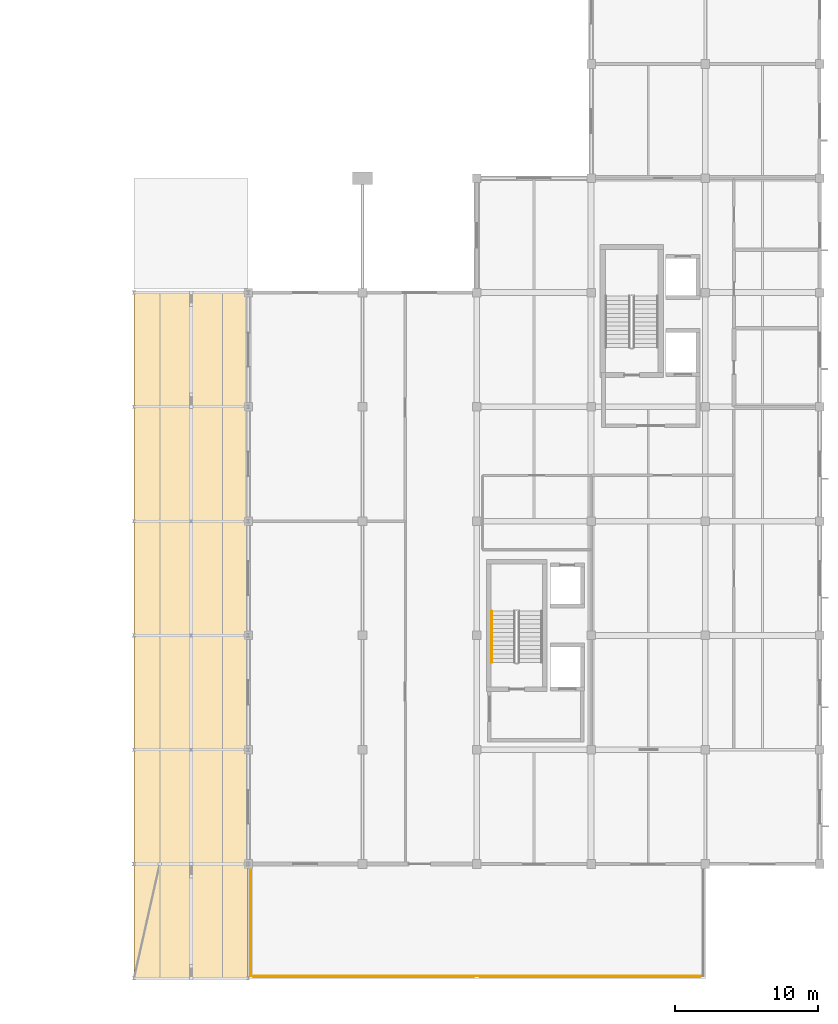
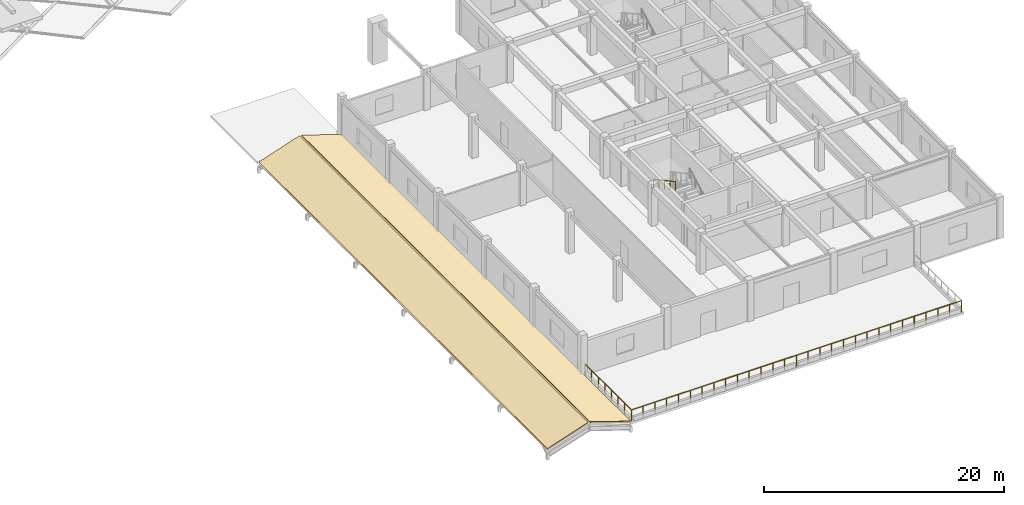
# One storey, part 23 of 27: 4 railings, 2 coverings.
"""IFC4 building model written with IfcOpenShell, lengths in metres."""

from ifc_helpers import new_model, si_unit, direction, frame, origin, origin_2d, place, context, subcontext, project, spatial, polyline, circle, outline, extrude, material, layer, layer_set, type_object, element, save


model = new_model("IFC4")

# Units and contexts
model_context = context("Model", 3, precision=1e-05, world=origin(), true_north=direction((0.0, 1.0)))
body_context = subcontext(model_context, "Body", "Model", "MODEL_VIEW")
ifc_project = project(units=[si_unit("LENGTHUNIT", "METRE"), si_unit("AREAUNIT", "SQUARE_METRE"), si_unit("VOLUMEUNIT", "CUBIC_METRE"), si_unit("PLANEANGLEUNIT", "RADIAN"), si_unit("MASSUNIT", "GRAM", prefix="KILO")], contexts=[model_context])

# Site, building, storey
site_placement = place(None, origin())
site = spatial("IfcSite", under=ifc_project, at=site_placement, CompositionType="ELEMENT")
building_placement = place(site_placement, origin())
building = spatial("IfcBuilding", under=site, at=building_placement, Name="Kenh Van Central Station", CompositionType="ELEMENT")
storey_placement = place(building_placement, frame((0.0, 0.0, 19.199951171875)))
storey = spatial("IfcBuildingStorey", under=building, at=storey_placement, Name="L04", CompositionType="ELEMENT", Elevation=19.199951171875)

# Coverings
ifc_material_1 = material(Name="Standing-seam zinc-aluminium roofing", Category="aluminium")
ifc_layer_1 = layer(ifc_material_1, 0.044921875, Name="Standing-seam zinc-aluminium roofing")
ifc_layer_set_1 = layer_set([ifc_layer_1], Name="Standing-seam zinc-aluminium roofing")
covering_type_1 = type_object("IfcCoveringType", Name="COV-ROOF-SEAM", PredefinedType="ROOFING", material=ifc_layer_set_1)
covering_1_placement = place(storey_placement, frame((128.0, 8.0, 0.14013671875), z_axis=(-0.316192131819, 0.0, 0.948695175373), x_axis=(0.948695175373, 0.0, 0.316192131819)))
element("IfcCovering", 1, at=covering_1_placement, inside=storey, type_object=covering_type_1, Name="L04 pitched roof covering 15", PredefinedType="ROOFING", context=body_context, shape_type="SweptSolid", body=[
    extrude(outline(polyline([(0.0, 0.0), (4.110806553029918, 0.0), (4.110806553029918, 48.0), (0.0, 48.0), (0.0, 0.0)])), origin(), (0.0, 0.0, -1.0), 0.044921875),
])
ifc_material_2 = material(Name="Glazed terracotta roof tile", Category="masonry")
ifc_layer_2 = layer(ifc_material_2, 0.054931640625, Name="Glazed terracotta roof tile")
ifc_layer_set_2 = layer_set([ifc_layer_2], Name="Glazed terracotta roof tile")
covering_type_2 = type_object("IfcCoveringType", Name="COV-ROOF-TERRA", PredefinedType="ROOFING", material=ifc_layer_set_2)
covering_2_placement = place(storey_placement, frame((132.10009765625, 8.0, 1.43994140625), z_axis=(0.316192131819, 0.0, 0.948695175373), x_axis=(0.948695175373, 0.0, -0.316192131819)))
element("IfcCovering", 2, at=covering_2_placement, inside=storey, type_object=covering_type_2, Name="L04 pitched roof covering 16", PredefinedType="ROOFING", context=body_context, shape_type="SweptSolid", body=[
    extrude(outline(polyline([(0.0, 0.0), (4.110806553029918, 0.0), (4.110806553029918, 48.0), (0.0, 48.0), (0.0, 0.0)])), origin(), (0.0, 0.0, -1.0), 0.054931640625),
])

# Railings
ifc_material_3 = material(Name="Champagne anodised aluminium", Category="aluminium")
railing_type_1 = type_object("IfcRailingType", Name="RAIL-CORE-HND90", PredefinedType="HANDRAIL", material=ifc_material_3)
railing_1_placement = place(storey_placement, frame((153.050048828125, 33.699951171875, 2.261474609375)))
element("IfcRailing", 3, at=railing_1_placement, inside=storey, type_object=railing_type_1, Name="L04 ST-09 stair handrail 2", PredefinedType="HANDRAIL", context=body_context, shape_type="SweptSolid", body=[
    extrude(circle(Radius=0.02392578125, at=origin_2d()), frame((0.0, 0.0, 0.8759765625), z_axis=(0.0, -0.880461512865, 0.474117627138), x_axis=(1.0, 0.0, 0.0)), (0.0, 0.0, 1.0), 4.088623046875),
    extrude(circle(Radius=0.02099609375, at=origin_2d()), origin(), (0.0, 0.0, 1.0), 0.851806640625),
    extrude(circle(Radius=0.02099609375, at=origin_2d()), frame((0.0, -0.89990234375, 0.484619140625)), (0.0, 0.0, 1.0), 0.851806640625),
    extrude(circle(Radius=0.02099609375, at=origin_2d()), frame((0.0, -1.7998046875, 0.96923828125)), (0.0, 0.0, 1.0), 0.851806640625),
    extrude(circle(Radius=0.02099609375, at=origin_2d()), frame((0.0, -2.699951171875, 1.453857421875)), (0.0, 0.0, 1.0), 0.851806640625),
    extrude(circle(Radius=0.02099609375, at=origin_2d()), frame((0.0, -3.599853515625, 1.9384765625)), (0.0, 0.0, 1.0), 0.851806640625),
])
railing_type_2 = type_object("IfcRailingType", Name="RAIL-TERR-GRD115", PredefinedType="GUARDRAIL", material=ifc_material_3)
railing_2_placement = place(storey_placement, frame((136.14990234375, 8.14990234375, 0.0)))
element("IfcRailing", 4, at=railing_2_placement, inside=storey, type_object=railing_type_2, Name="L04 terrace guardrail 11", PredefinedType="GUARDRAIL", context=body_context, shape_type="SweptSolid", body=[
    extrude(circle(Radius=0.02392578125, at=origin_2d()), frame((0.0, 0.0, 1.1259765625), z_axis=(1.0, 0.0, 0.0), x_axis=(0.0, 1.0, 0.0)), (0.0, 0.0, 1.0), 15.85009765625),
    extrude(circle(Radius=0.02099609375, at=origin_2d()), origin(), (0.0, 0.0, 1.0), 1.101806640625),
    extrude(circle(Radius=0.02099609375, at=origin_2d()), frame((1.132080078125, 0.0, 0.0)), (0.0, 0.0, 1.0), 1.101806640625),
    extrude(circle(Radius=0.02099609375, at=origin_2d()), frame((2.264404296875, 0.0, 0.0)), (0.0, 0.0, 1.0), 1.101806640625),
    extrude(circle(Radius=0.02099609375, at=origin_2d()), frame((3.396484375, 0.0, 0.0)), (0.0, 0.0, 1.0), 1.101806640625),
    extrude(circle(Radius=0.02099609375, at=origin_2d()), frame((4.528564453125, 0.0, 0.0)), (0.0, 0.0, 1.0), 1.101806640625),
    extrude(circle(Radius=0.02099609375, at=origin_2d()), frame((5.66064453125, 0.0, 0.0)), (0.0, 0.0, 1.0), 1.101806640625),
    extrude(circle(Radius=0.02099609375, at=origin_2d()), frame((6.79296875, 0.0, 0.0)), (0.0, 0.0, 1.0), 1.101806640625),
    extrude(circle(Radius=0.02099609375, at=origin_2d()), frame((7.925048828125, 0.0, 0.0)), (0.0, 0.0, 1.0), 1.101806640625),
    extrude(circle(Radius=0.02099609375, at=origin_2d()), frame((9.05712890625, 0.0, 0.0)), (0.0, 0.0, 1.0), 1.101806640625),
    extrude(circle(Radius=0.02099609375, at=origin_2d()), frame((10.189453125, 0.0, 0.0)), (0.0, 0.0, 1.0), 1.101806640625),
    extrude(circle(Radius=0.02099609375, at=origin_2d()), frame((11.321533203125, 0.0, 0.0)), (0.0, 0.0, 1.0), 1.101806640625),
    extrude(circle(Radius=0.02099609375, at=origin_2d()), frame((12.45361328125, 0.0, 0.0)), (0.0, 0.0, 1.0), 1.101806640625),
    extrude(circle(Radius=0.02099609375, at=origin_2d()), frame((13.585693359375, 0.0, 0.0)), (0.0, 0.0, 1.0), 1.101806640625),
    extrude(circle(Radius=0.02099609375, at=origin_2d()), frame((14.718017578125, 0.0, 0.0)), (0.0, 0.0, 1.0), 1.101806640625),
    extrude(circle(Radius=0.02099609375, at=origin_2d()), frame((15.85009765625, 0.0, 0.0)), (0.0, 0.0, 1.0), 1.101806640625),
])
railing_3_placement = place(storey_placement, frame((152.0, 8.14990234375, 0.0)))
element("IfcRailing", 5, at=railing_3_placement, inside=storey, type_object=railing_type_2, Name="L04 terrace guardrail 12", PredefinedType="GUARDRAIL", context=body_context, shape_type="SweptSolid", body=[
    extrude(circle(Radius=0.02392578125, at=origin_2d()), frame((0.0, 0.0, 1.1259765625), z_axis=(1.0, 0.0, 0.0), x_axis=(0.0, 1.0, 0.0)), (0.0, 0.0, 1.0), 15.85009765625),
    extrude(circle(Radius=0.02099609375, at=origin_2d()), origin(), (0.0, 0.0, 1.0), 1.101806640625),
    extrude(circle(Radius=0.02099609375, at=origin_2d()), frame((1.132080078125, 0.0, 0.0)), (0.0, 0.0, 1.0), 1.101806640625),
    extrude(circle(Radius=0.02099609375, at=origin_2d()), frame((2.264404296875, 0.0, 0.0)), (0.0, 0.0, 1.0), 1.101806640625),
    extrude(circle(Radius=0.02099609375, at=origin_2d()), frame((3.396484375, 0.0, 0.0)), (0.0, 0.0, 1.0), 1.101806640625),
    extrude(circle(Radius=0.02099609375, at=origin_2d()), frame((4.528564453125, 0.0, 0.0)), (0.0, 0.0, 1.0), 1.101806640625),
    extrude(circle(Radius=0.02099609375, at=origin_2d()), frame((5.66064453125, 0.0, 0.0)), (0.0, 0.0, 1.0), 1.101806640625),
    extrude(circle(Radius=0.02099609375, at=origin_2d()), frame((6.79296875, 0.0, 0.0)), (0.0, 0.0, 1.0), 1.101806640625),
    extrude(circle(Radius=0.02099609375, at=origin_2d()), frame((7.925048828125, 0.0, 0.0)), (0.0, 0.0, 1.0), 1.101806640625),
    extrude(circle(Radius=0.02099609375, at=origin_2d()), frame((9.05712890625, 0.0, 0.0)), (0.0, 0.0, 1.0), 1.101806640625),
    extrude(circle(Radius=0.02099609375, at=origin_2d()), frame((10.189453125, 0.0, 0.0)), (0.0, 0.0, 1.0), 1.101806640625),
    extrude(circle(Radius=0.02099609375, at=origin_2d()), frame((11.321533203125, 0.0, 0.0)), (0.0, 0.0, 1.0), 1.101806640625),
    extrude(circle(Radius=0.02099609375, at=origin_2d()), frame((12.45361328125, 0.0, 0.0)), (0.0, 0.0, 1.0), 1.101806640625),
    extrude(circle(Radius=0.02099609375, at=origin_2d()), frame((13.585693359375, 0.0, 0.0)), (0.0, 0.0, 1.0), 1.101806640625),
    extrude(circle(Radius=0.02099609375, at=origin_2d()), frame((14.718017578125, 0.0, 0.0)), (0.0, 0.0, 1.0), 1.101806640625),
    extrude(circle(Radius=0.02099609375, at=origin_2d()), frame((15.85009765625, 0.0, 0.0)), (0.0, 0.0, 1.0), 1.101806640625),
])
railing_4_placement = place(storey_placement, frame((136.14990234375, 8.14990234375, 0.0)))
element("IfcRailing", 6, at=railing_4_placement, inside=storey, type_object=railing_type_2, Name="L04 terrace guardrail 13", PredefinedType="GUARDRAIL", context=body_context, shape_type="SweptSolid", body=[
    extrude(circle(Radius=0.02392578125, at=origin_2d()), frame((0.0, 0.0, 1.1259765625), z_axis=(0.0, 1.0, 0.0), x_axis=(-1.0, 0.0, 0.0)), (0.0, 0.0, 1.0), 7.7001953125),
    extrude(circle(Radius=0.02099609375, at=origin_2d()), origin(), (0.0, 0.0, 1.0), 1.101806640625),
    extrude(circle(Radius=0.02099609375, at=origin_2d()), frame((0.0, 1.10009765625, 0.0)), (0.0, 0.0, 1.0), 1.101806640625),
    extrude(circle(Radius=0.02099609375, at=origin_2d()), frame((0.0, 2.199951171875, 0.0)), (0.0, 0.0, 1.0), 1.101806640625),
    extrude(circle(Radius=0.02099609375, at=origin_2d()), frame((0.0, 3.300048828125, 0.0)), (0.0, 0.0, 1.0), 1.101806640625),
    extrude(circle(Radius=0.02099609375, at=origin_2d()), frame((0.0, 4.400146484375, 0.0)), (0.0, 0.0, 1.0), 1.101806640625),
    extrude(circle(Radius=0.02099609375, at=origin_2d()), frame((0.0, 5.500244140625, 0.0)), (0.0, 0.0, 1.0), 1.101806640625),
    extrude(circle(Radius=0.02099609375, at=origin_2d()), frame((0.0, 6.60009765625, 0.0)), (0.0, 0.0, 1.0), 1.101806640625),
    extrude(circle(Radius=0.02099609375, at=origin_2d()), frame((0.0, 7.7001953125, 0.0)), (0.0, 0.0, 1.0), 1.101806640625),
])

save(model, "model.ifc")
